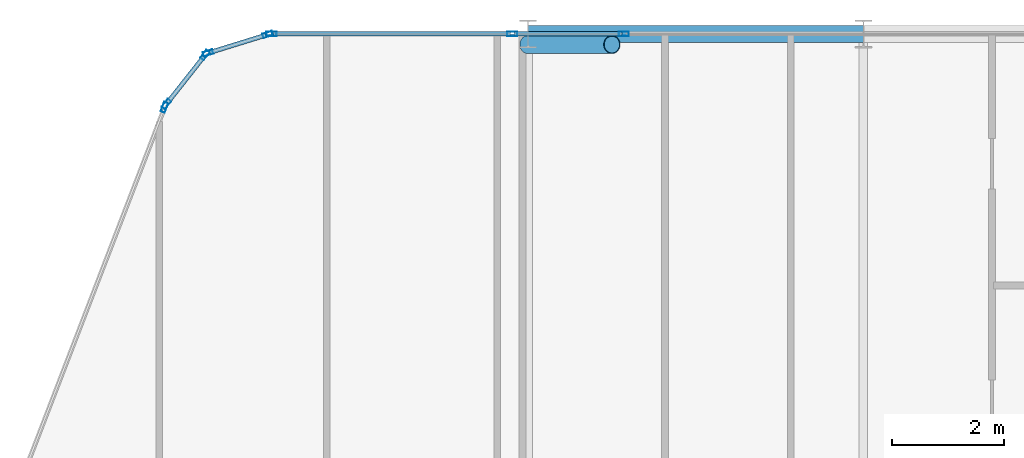
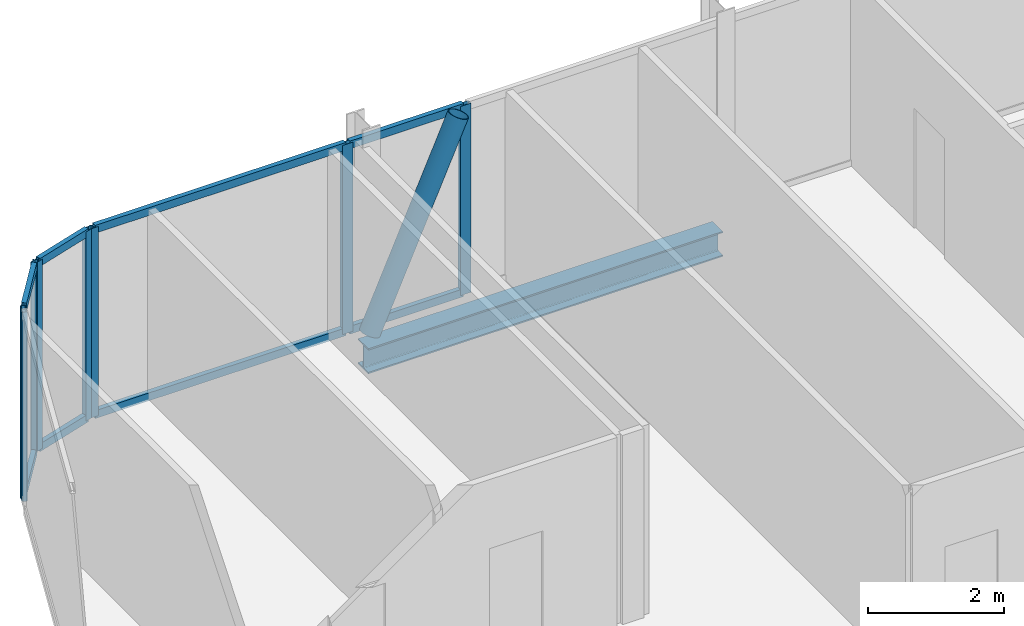
# One storey, part 17 of 31: 17 members, 1 beam, 5 elements without a shape of their own.
"""IFC4 building model written with IfcOpenShell, lengths in metres."""

from ifc_helpers import new_model, si_unit, direction, frame, origin, origin_2d, place, context, subcontext, project, spatial, hollow_rectangle, hollow_circle, i_section, extrude, material, layer, layer_set, material_profile, profile_set, type_object, element, aggregate, save


model = new_model("IFC4")

# Units and contexts
model_context = context("Model", 3, precision=1e-05, world=origin(), true_north=direction((0.0, 1.0)))
body_context = subcontext(model_context, "Body", "Model", "MODEL_VIEW")
ifc_project = project(units=[si_unit("LENGTHUNIT", "METRE"), si_unit("AREAUNIT", "SQUARE_METRE"), si_unit("VOLUMEUNIT", "CUBIC_METRE"), si_unit("PLANEANGLEUNIT", "RADIAN"), si_unit("MASSUNIT", "GRAM", prefix="KILO")], contexts=[model_context])

# Site, building, storey
site_placement = place(None, origin())
site = spatial("IfcSite", under=ifc_project, at=site_placement, CompositionType="ELEMENT")
building_placement = place(site_placement, origin())
building = spatial("IfcBuilding", under=site, at=building_placement, Name="Keshet Zoharim Tower", CompositionType="ELEMENT")
storey_placement = place(building_placement, frame((0.0, 0.0, 129.800048828125)))
storey = spatial("IfcBuildingStorey", under=building, at=storey_placement, Name="L31", CompositionType="ELEMENT", Elevation=129.800048828125)

# Beam
ifc_material_1 = material(Name="Steel S355", Category="steel")
ifc_material_profile_1 = material_profile(ifc_material_1, i_section(OverallWidth=0.300048828125, OverallDepth=0.449951171875, WebThickness=0.013916015625, FlangeThickness=0.02587890625, FilletRadius=0.027099609375, at=origin_2d()), Name="HEB450")
ifc_profile_set_1 = profile_set([ifc_material_profile_1], Name="Steel S355")
beam_type = type_object("IfcBeamType", Name="BM-WEB-HB450", PredefinedType="BEAM", material=ifc_profile_set_1)
beam_placement = place(storey_placement, frame((21.0, 53.89990234375, -0.5400390625), z_axis=(1.0, 0.0, 0.0), x_axis=(0.0, 1.0, 0.0)))
element("IfcBeam", 1, at=beam_placement, inside=storey, type_object=beam_type, Name="L31 Primary Girder X-020", PredefinedType="BEAM", context=body_context, shape_type="SweptSolid", body=[
    extrude(i_section(OverallWidth=0.300048828125, OverallDepth=0.449951171875, WebThickness=0.013916015625, FlangeThickness=0.02587890625, FilletRadius=0.027099609375, at=origin_2d()), origin(), (0.0, 0.0, 1.0), 6.0),
])

# Curtain wall, member
ifc_material_2 = material(Name="Aluminium 6063-T6", Category="aluminium")
ifc_layer = layer(ifc_material_2, 0.159912109375)
ifc_layer_set = layer_set([ifc_layer], Name="Aluminium 6063-T6")
curtain_wall_type = type_object("IfcCurtainWallType", Name="CW-SYS-03", PredefinedType="NOTDEFINED", material=ifc_layer_set)
curtain_wall_1_placement = place(storey_placement, origin())
curtain_wall_1 = element("IfcCurtainWall", 2, at=curtain_wall_1_placement, inside=storey, type_object=curtain_wall_type, Name="L31 Unitised Curtain Wall 10", PredefinedType="NOTDEFINED")
ifc_material_profile_2 = material_profile(ifc_material_2, hollow_rectangle(XDim=0.080078125, YDim=0.179931640625, WallThickness=0.00439453125, at=origin_2d()), Name="MUL-80x180")
ifc_profile_set_2 = profile_set([ifc_material_profile_2], Name="Aluminium 6063-T6")
member_type_1 = type_object("IfcMemberType", Name="CWM-M18", PredefinedType="MULLION", material=ifc_profile_set_2)
member_1_placement = place(storey_placement, frame((14.494384765625, 52.58544921875, 0.0), z_axis=(0.0, 0.0, 1.0), x_axis=(-0.933341404361, 0.358990003907, 0.0)))
member_1 = element("IfcMember", 3, at=member_1_placement, type_object=member_type_1, Name="CW-03 mullion 4", PredefinedType="MULLION", context=body_context, shape_type="SweptSolid", body=[
    extrude(hollow_rectangle(XDim=0.080078125, YDim=0.179931640625, WallThickness=0.00439453125, at=origin_2d()), origin(), (0.0, 0.0, 1.0), 3.385009765625),
])
aggregate(curtain_wall_1, [member_1])

# Curtain wall, members
curtain_wall_2_placement = place(storey_placement, origin())
curtain_wall_2 = element("IfcCurtainWall", 4, at=curtain_wall_2_placement, inside=storey, type_object=curtain_wall_type, Name="L31 Unitised Curtain Wall 11", PredefinedType="NOTDEFINED")
member_2_placement = place(storey_placement, frame((14.528564453125, 52.6455078125, 0.0), z_axis=(0.0, 0.0, 1.0), x_axis=(-0.785292825205, 0.619124525989, 0.0)))
member_2 = element("IfcMember", 5, at=member_2_placement, type_object=member_type_1, Name="CW-03 mullion 1", PredefinedType="MULLION", context=body_context, shape_type="SweptSolid", body=[
    extrude(hollow_rectangle(XDim=0.080078125, YDim=0.179931640625, WallThickness=0.00439453125, at=origin_2d()), origin(), (0.0, 0.0, 1.0), 3.385009765625),
])
member_3_placement = place(storey_placement, frame((15.21923828125, 53.521484375, 0.0), z_axis=(0.0, 0.0, 1.0), x_axis=(-0.785292825205, 0.619124525989, 0.0)))
member_3 = element("IfcMember", 6, at=member_3_placement, type_object=member_type_1, Name="CW-03 mullion 2", PredefinedType="MULLION", context=body_context, shape_type="SweptSolid", body=[
    extrude(hollow_rectangle(XDim=0.080078125, YDim=0.179931640625, WallThickness=0.00439453125, at=origin_2d()), origin(), (0.0, 0.0, 1.0), 3.385009765625),
])

curtain_wall_3_placement = place(storey_placement, origin())
curtain_wall_3 = element("IfcCurtainWall", 7, at=curtain_wall_3_placement, inside=storey, type_object=curtain_wall_type, Name="L31 Unitised Curtain Wall 12", PredefinedType="NOTDEFINED")
member_4_placement = place(storey_placement, frame((15.2744140625, 53.559326171875, 0.0), z_axis=(0.0, 0.0, 1.0), x_axis=(-0.295921857984, 0.955212151288, 0.0)))
member_4 = element("IfcMember", 8, at=member_4_placement, type_object=member_type_1, Name="CW-03 mullion 1", PredefinedType="MULLION", context=body_context, shape_type="SweptSolid", body=[
    extrude(hollow_rectangle(XDim=0.080078125, YDim=0.179931640625, WallThickness=0.00439453125, at=origin_2d()), origin(), (0.0, 0.0, 1.0), 3.385009765625),
])
member_5_placement = place(storey_placement, frame((16.340576171875, 53.8896484375, 0.0), z_axis=(0.0, 0.0, 1.0), x_axis=(-0.295921857984, 0.955212151288, 0.0)))
member_5 = element("IfcMember", 9, at=member_5_placement, type_object=member_type_1, Name="CW-03 mullion 2", PredefinedType="MULLION", context=body_context, shape_type="SweptSolid", body=[
    extrude(hollow_rectangle(XDim=0.080078125, YDim=0.179931640625, WallThickness=0.00439453125, at=origin_2d()), origin(), (0.0, 0.0, 1.0), 3.385009765625),
])

curtain_wall_4_placement = place(storey_placement, origin())
curtain_wall_4 = element("IfcCurtainWall", 10, at=curtain_wall_4_placement, inside=storey, type_object=curtain_wall_type, Name="L31 Unitised Curtain Wall 13", PredefinedType="NOTDEFINED")
member_6_placement = place(storey_placement, frame((16.408935546875, 53.89990234375, 0.0), z_axis=(0.0, 0.0, 1.0), x_axis=(0.0, 1.0, 0.0)))
member_6 = element("IfcMember", 11, at=member_6_placement, type_object=member_type_1, Name="CW-03 mullion 1", PredefinedType="MULLION", context=body_context, shape_type="SweptSolid", body=[
    extrude(hollow_rectangle(XDim=0.080078125, YDim=0.179931640625, WallThickness=0.00439453125, at=origin_2d()), origin(), (0.0, 0.0, 1.0), 3.385009765625),
])
member_7_placement = place(storey_placement, frame((20.716796875, 53.89990234375, 0.0), z_axis=(0.0, 0.0, 1.0), x_axis=(0.0, 1.0, 0.0)))
member_7 = element("IfcMember", 12, at=member_7_placement, type_object=member_type_1, Name="CW-03 mullion 2", PredefinedType="MULLION", context=body_context, shape_type="SweptSolid", body=[
    extrude(hollow_rectangle(XDim=0.080078125, YDim=0.179931640625, WallThickness=0.00439453125, at=origin_2d()), origin(), (0.0, 0.0, 1.0), 3.385009765625),
])

# Curtain wall, member
curtain_wall_5_placement = place(storey_placement, origin())
curtain_wall_5 = element("IfcCurtainWall", 13, at=curtain_wall_5_placement, inside=storey, type_object=curtain_wall_type, Name="L31 Unitised Curtain Wall 13 Part 2", PredefinedType="NOTDEFINED")
member_8_placement = place(storey_placement, frame((22.713134765625, 53.89990234375, 0.0), z_axis=(0.0, 0.0, 1.0), x_axis=(0.0, 1.0, 0.0)))
member_8 = element("IfcMember", 14, at=member_8_placement, type_object=member_type_1, Name="CW-03 mullion 2", PredefinedType="MULLION", context=body_context, shape_type="SweptSolid", body=[
    extrude(hollow_rectangle(XDim=0.080078125, YDim=0.179931640625, WallThickness=0.00439453125, at=origin_2d()), origin(), (0.0, 0.0, 1.0), 3.385009765625),
])

# Member
ifc_material_profile_3 = material_profile(ifc_material_2, hollow_rectangle(XDim=0.080078125, YDim=0.139892578125, WallThickness=0.00390625, at=origin_2d()), Name="TRN-80x140")
ifc_profile_set_3 = profile_set([ifc_material_profile_3], Name="Aluminium 6063-T6")
member_type_2 = type_object("IfcMemberType", Name="CWT-T14", PredefinedType="USERDEFINED", material=ifc_profile_set_3)
member_9_placement = place(storey_placement, frame((14.55029296875, 52.6728515625, 0.034912109375), z_axis=(0.619099165969, 0.78531281837, 0.0), x_axis=(-0.78531281837, 0.619099165969, 0.0)))
member_9 = element("IfcMember", 15, at=member_9_placement, type_object=member_type_2, Name="CW-03 transom 1.1", ObjectType="TRANSOM", PredefinedType="USERDEFINED", context=body_context, shape_type="SweptSolid", body=[
    extrude(hollow_rectangle(XDim=0.080078125, YDim=0.139892578125, WallThickness=0.00390625, at=origin_2d()), origin(), (0.0, 0.0, 1.0), 1.0458984375),
])

member_10_placement = place(storey_placement, frame((14.55029296875, 52.6728515625, 3.349853515625), z_axis=(0.619099165969, 0.78531281837, 0.0), x_axis=(-0.78531281837, 0.619099165969, 0.0)))
member_10 = element("IfcMember", 16, at=member_10_placement, type_object=member_type_2, Name="CW-03 transom 1.2", ObjectType="TRANSOM", PredefinedType="USERDEFINED", context=body_context, shape_type="SweptSolid", body=[
    extrude(hollow_rectangle(XDim=0.080078125, YDim=0.139892578125, WallThickness=0.00390625, at=origin_2d()), origin(), (0.0, 0.0, 1.0), 1.0458984375),
])

aggregate(curtain_wall_2, [member_2, member_3, member_9, member_10])

member_11_placement = place(storey_placement, frame((15.307861328125, 53.56982421875, 0.034912109375), z_axis=(0.955212093062, 0.295922045933, 0.0), x_axis=(-0.295922045933, 0.955212093062, 0.0)))
member_11 = element("IfcMember", 17, at=member_11_placement, type_object=member_type_2, Name="CW-03 transom 1.1", ObjectType="TRANSOM", PredefinedType="USERDEFINED", context=body_context, shape_type="SweptSolid", body=[
    extrude(hollow_rectangle(XDim=0.080078125, YDim=0.139892578125, WallThickness=0.00390625, at=origin_2d()), origin(), (0.0, 0.0, 1.0), 1.046142578125),
])

member_12_placement = place(storey_placement, frame((15.307861328125, 53.56982421875, 3.349853515625), z_axis=(0.955212093062, 0.295922045933, 0.0), x_axis=(-0.295922045933, 0.955212093062, 0.0)))
member_12 = element("IfcMember", 18, at=member_12_placement, type_object=member_type_2, Name="CW-03 transom 1.2", ObjectType="TRANSOM", PredefinedType="USERDEFINED", context=body_context, shape_type="SweptSolid", body=[
    extrude(hollow_rectangle(XDim=0.080078125, YDim=0.139892578125, WallThickness=0.00390625, at=origin_2d()), origin(), (0.0, 0.0, 1.0), 1.046142578125),
])

aggregate(curtain_wall_3, [member_4, member_5, member_11, member_12])

member_13_placement = place(storey_placement, frame((16.444091796875, 53.89990234375, 0.034912109375), z_axis=(1.0, 0.0, 0.0), x_axis=(0.0, 1.0, 0.0)))
member_13 = element("IfcMember", 19, at=member_13_placement, type_object=member_type_2, Name="CW-03 transom 1.1", ObjectType="TRANSOM", PredefinedType="USERDEFINED", context=body_context, shape_type="SweptSolid", body=[
    extrude(hollow_rectangle(XDim=0.080078125, YDim=0.139892578125, WallThickness=0.00390625, at=origin_2d()), origin(), (0.0, 0.0, 1.0), 4.23779296875),
])

member_14_placement = place(storey_placement, frame((16.444091796875, 53.89990234375, 3.349853515625), z_axis=(1.0, 0.0, 0.0), x_axis=(0.0, 1.0, 0.0)))
member_14 = element("IfcMember", 20, at=member_14_placement, type_object=member_type_2, Name="CW-03 transom 1.2", ObjectType="TRANSOM", PredefinedType="USERDEFINED", context=body_context, shape_type="SweptSolid", body=[
    extrude(hollow_rectangle(XDim=0.080078125, YDim=0.139892578125, WallThickness=0.00390625, at=origin_2d()), origin(), (0.0, 0.0, 1.0), 4.23779296875),
])

aggregate(curtain_wall_4, [member_6, member_7, member_13, member_14])

member_15_placement = place(storey_placement, frame((20.751953125, 53.89990234375, 0.034912109375), z_axis=(1.0, 0.0, 0.0), x_axis=(0.0, 1.0, 0.0)))
member_15 = element("IfcMember", 21, at=member_15_placement, type_object=member_type_2, Name="CW-03 transom 1.1", ObjectType="TRANSOM", PredefinedType="USERDEFINED", context=body_context, shape_type="SweptSolid", body=[
    extrude(hollow_rectangle(XDim=0.080078125, YDim=0.139892578125, WallThickness=0.00390625, at=origin_2d()), origin(), (0.0, 0.0, 1.0), 1.926025390625),
])

member_16_placement = place(storey_placement, frame((20.751953125, 53.89990234375, 3.349853515625), z_axis=(1.0, 0.0, 0.0), x_axis=(0.0, 1.0, 0.0)))
member_16 = element("IfcMember", 22, at=member_16_placement, type_object=member_type_2, Name="CW-03 transom 1.2", ObjectType="TRANSOM", PredefinedType="USERDEFINED", context=body_context, shape_type="SweptSolid", body=[
    extrude(hollow_rectangle(XDim=0.080078125, YDim=0.139892578125, WallThickness=0.00390625, at=origin_2d()), origin(), (0.0, 0.0, 1.0), 1.926025390625),
])

aggregate(curtain_wall_5, [member_8, member_15, member_16])

ifc_material_profile_4 = material_profile(ifc_material_1, hollow_circle(Radius=0.161865234375, WallThickness=0.012451171875, at=origin_2d()), Name="CHS323x12.5")
ifc_profile_set_4 = profile_set([ifc_material_profile_4], Name="Steel S355")
member_type_3 = type_object("IfcMemberType", Name="MB-BR-C323", PredefinedType="BRACE", material=ifc_profile_set_4)
member_17_placement = place(storey_placement, frame((21.0, 53.7099609375, 0.0), z_axis=(0.405134846829, 0.0, 0.91425694194), x_axis=(0.0, 1.0, 0.0)))
element("IfcMember", 23, at=member_17_placement, inside=storey, type_object=member_type_3, Name="L31 Perimeter Tube Brace 02", PredefinedType="BRACE", context=body_context, shape_type="SweptSolid", body=[
    extrude(hollow_circle(Radius=0.161865234375, WallThickness=0.012451171875, at=origin_2d()), origin(), (0.0, 0.0, 1.0), 3.702392578125),
])

save(model, "model.ifc")
